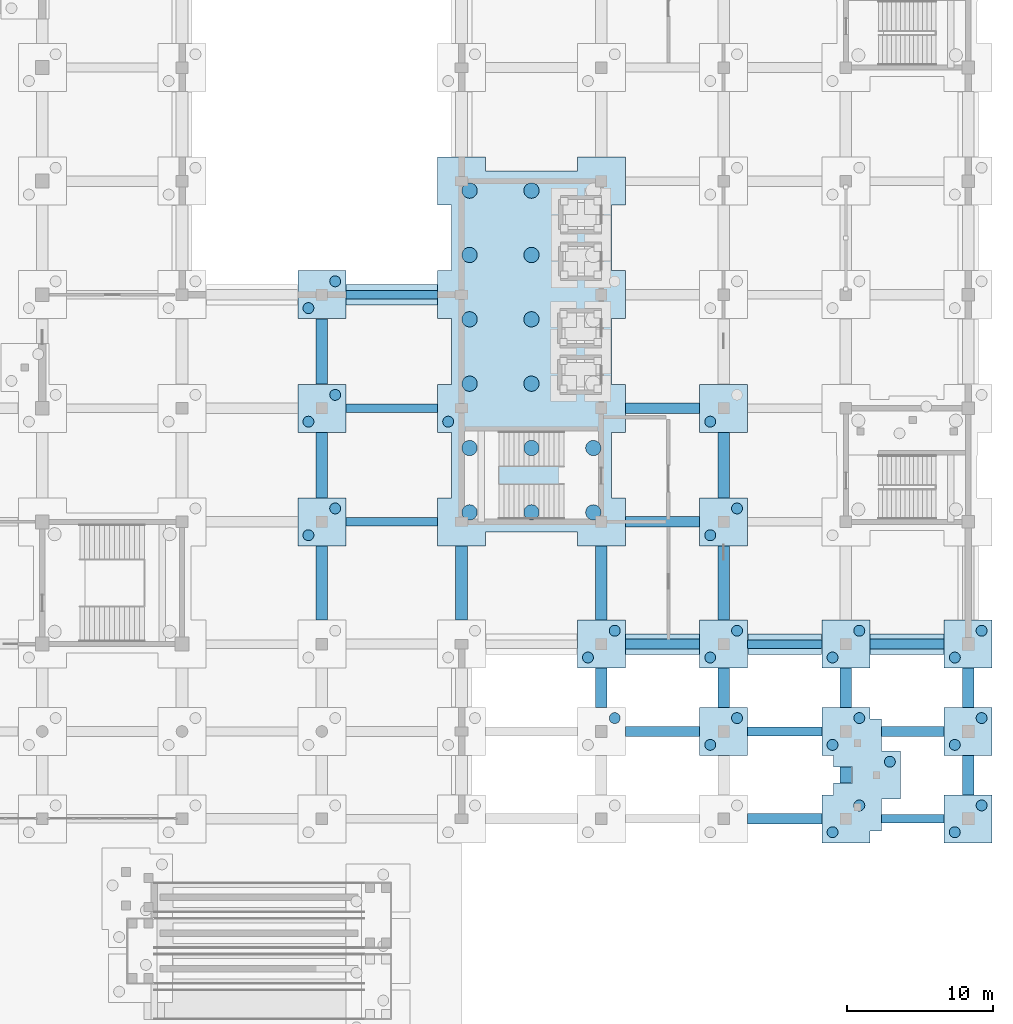
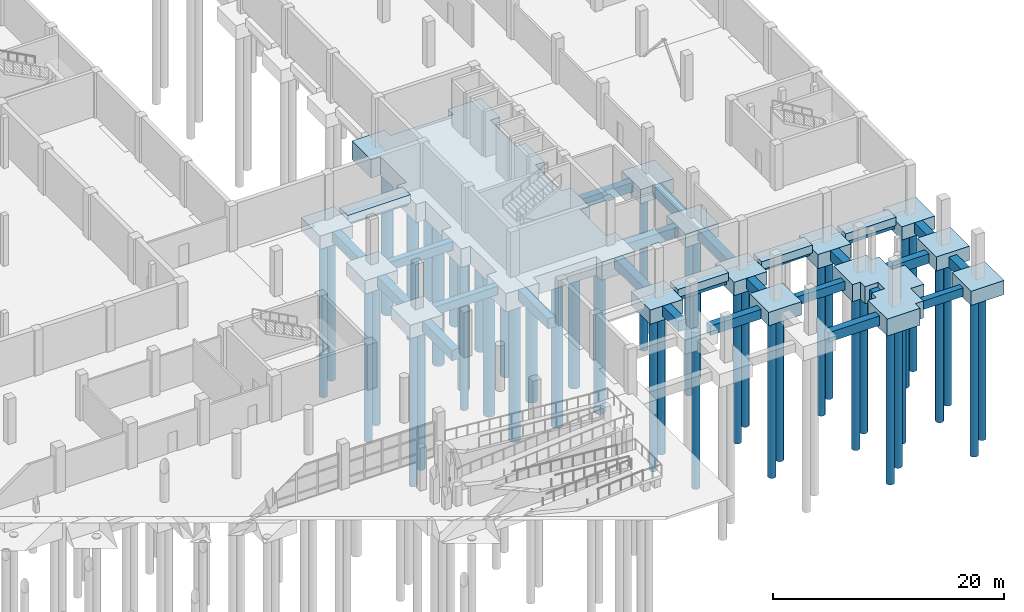
# One storey, part 12 of 42: 44 footings, 44 piles.
"""IFC4 building model written with IfcOpenShell, lengths in metres."""

from ifc_helpers import new_model, si_unit, direction, frame, origin, origin_2d, place, context, subcontext, project, spatial, polyline, rectangle, circle, outline, extrude, material, layer, layer_set, material_profile, profile_set, type_object, element, save


model = new_model("IFC4")

# Units and contexts
model_context = context("Model", 3, precision=1e-05, world=origin(), true_north=direction((0.0, 1.0)))
body_context = subcontext(model_context, "Body", "Model", "MODEL_VIEW")
ifc_project = project(units=[si_unit("LENGTHUNIT", "METRE"), si_unit("AREAUNIT", "SQUARE_METRE"), si_unit("VOLUMEUNIT", "CUBIC_METRE"), si_unit("PLANEANGLEUNIT", "RADIAN"), si_unit("MASSUNIT", "GRAM", prefix="KILO")], contexts=[model_context])

# Site, building, storey
site_placement = place(None, origin())
site = spatial("IfcSite", under=ifc_project, at=site_placement, CompositionType="ELEMENT")
building_placement = place(site_placement, origin())
building = spatial("IfcBuilding", under=site, at=building_placement, Name="Pellamere Symphony Hall", CompositionType="ELEMENT")
storey_placement = place(building_placement, frame((0.0, 0.0, -4.800048828125)))
storey = spatial("IfcBuildingStorey", under=building, at=storey_placement, Name="B1", CompositionType="ELEMENT", Elevation=-4.800048828125)

# Piles
ifc_material_1 = material(Name="Concrete 40 MPa", Category="concrete")
ifc_material_profile_1 = material_profile(ifc_material_1, circle(Radius=0.52490234375, at=origin_2d()), Name="PILE D1050")
ifc_profile_set_1 = profile_set([ifc_material_profile_1], Name="Concrete 40 MPa")
pile_type_1 = type_object("IfcPileType", Name="Bored Pile 1050mm Concrete 40 MPa", PredefinedType="BORED", material=ifc_profile_set_1)
for number, where, z_axis, x_axis, name in (
    (1, (138.550048828125, 39.050048828125, -2.300048828125), (0.0, 0.0, -1.0), (1.0, 0.0, 0.0), "Bored Pile BP-1050-P249"),
    (2, (138.550048828125, 43.469970703125, -2.300048828125), (0.0, 0.0, -1.0), (1.0, 0.0, 0.0), "Bored Pile BP-1050-P250"),
    (3, (138.550048828125, 47.889892578125, -2.300048828125), (0.0, 0.0, -1.0), (1.0, 0.0, 0.0), "Bored Pile BP-1050-P251"),
    (4, (138.550048828125, 52.31005859375, -2.300048828125), (0.0, 0.0, -1.0), (1.0, 0.0, 0.0), "Bored Pile BP-1050-P252"),
    (5, (138.550048828125, 56.72998046875, -2.300048828125), (0.0, 0.0, -1.0), (1.0, 0.0, 0.0), "Bored Pile BP-1050-P253"),
    (6, (138.550048828125, 61.14990234375, -2.300048828125), (0.0, 0.0, -1.0), (1.0, 0.0, 0.0), "Bored Pile BP-1050-P254"),
    (7, (142.800048828125, 39.050048828125, -2.300048828125), (0.0, 0.0, -1.0), (1.0, 0.0, 0.0), "Bored Pile BP-1050-P255"),
    (8, (142.800048828125, 43.469970703125, -2.300048828125), (0.0, 0.0, -1.0), (1.0, 0.0, 0.0), "Bored Pile BP-1050-P256"),
    (9, (142.800048828125, 47.889892578125, -2.300048828125), (0.0, 0.0, -1.0), (1.0, 0.0, 0.0), "Bored Pile BP-1050-P257"),
    (10, (142.800048828125, 52.31005859375, -2.300048828125), (0.0, 0.0, -1.0), (1.0, 0.0, 0.0), "Bored Pile BP-1050-P258"),
    (11, (142.800048828125, 56.72998046875, -2.300048828125), (0.0, 0.0, -1.0), (1.0, 0.0, 0.0), "Bored Pile BP-1050-P259"),
    (12, (142.800048828125, 61.14990234375, -2.300048828125), (0.0, 0.0, -1.0), (1.0, 0.0, 0.0), "Bored Pile BP-1050-P260"),
    (13, (147.050048828125, 39.050048828125, -2.300048828125), (0.0, 0.0, -1.0), (1.0, 0.0, 0.0), "Bored Pile BP-1050-P261"),
    (14, (147.050048828125, 43.469970703125, -2.300048828125), (0.0, 0.0, -1.0), (1.0, 0.0, 0.0), "Bored Pile BP-1050-P262"),
):
    element("IfcPile", number, at=place(storey_placement, frame(where, z_axis=z_axis, x_axis=x_axis)), inside=storey, type_object=pile_type_1, Name=name, PredefinedType="BORED", context=body_context, shape_type="SweptSolid", body=[
        extrude(circle(Radius=0.52490234375, at=origin_2d()), origin(), (0.0, 0.0, 1.0), 15.699951171875),
    ])
ifc_material_2 = material(Name="Concrete 35 MPa", Category="concrete")
ifc_material_profile_2 = material_profile(ifc_material_2, circle(Radius=0.375, at=origin_2d()), Name="PILE D750")
ifc_profile_set_2 = profile_set([ifc_material_profile_2], Name="Concrete 35 MPa")
pile_type_2 = type_object("IfcPileType", Name="Bored Pile 750mm Concrete 35 MPa", PredefinedType="BORED", material=ifc_profile_set_2)
for number, where, z_axis, x_axis, name in (
    (15, (163.47998046875, 17.080078125, -1.699951171875), (0.0, 0.0, -1.0), (1.0, 0.0, 0.0), "Bored Pile BP-750-P091"),
    (16, (165.320068359375, 18.919921875, -1.699951171875), (0.0, 0.0, -1.0), (1.0, 0.0, 0.0), "Bored Pile BP-750-P092"),
    (17, (163.47998046875, 23.080078125, -1.699951171875), (0.0, 0.0, -1.0), (1.0, 0.0, 0.0), "Bored Pile BP-750-P093"),
    (18, (165.320068359375, 24.919921875, -1.699951171875), (0.0, 0.0, -1.0), (1.0, 0.0, 0.0), "Bored Pile BP-750-P094"),
    (19, (167.419921875, 21.919921875, -1.699951171875), (0.0, 0.0, -1.0), (1.0, 0.0, 0.0), "Bored Pile BP-750-P095"),
):
    element("IfcPile", number, at=place(storey_placement, frame(where, z_axis=z_axis, x_axis=x_axis)), inside=storey, type_object=pile_type_2, Name=name, PredefinedType="BORED", context=body_context, shape_type="SweptSolid", body=[
        extrude(circle(Radius=0.375, at=origin_2d()), origin(), (0.0, 0.0, 1.0), 16.300048828125),
    ])
for number, where, z_axis, x_axis, name in (
    (20, (171.8798828125, 17.080078125, -1.39990234375), (0.0, 0.0, -1.0), (1.0, 0.0, 0.0), "Bored Pile BP-750-P096"),
    (21, (173.719970703125, 18.919921875, -1.39990234375), (0.0, 0.0, -1.0), (1.0, 0.0, 0.0), "Bored Pile BP-750-P097"),
    (22, (148.52001953125, 24.919921875, -1.39990234375), (0.0, 0.0, -1.0), (1.0, 0.0, 0.0), "Bored Pile BP-750-P136"),
):
    element("IfcPile", number, at=place(storey_placement, frame(where, z_axis=z_axis, x_axis=x_axis)), inside=storey, type_object=pile_type_2, Name=name, PredefinedType="BORED", context=body_context, shape_type="SweptSolid", body=[
        extrude(circle(Radius=0.375, at=origin_2d()), origin(), (0.0, 0.0, 1.0), 16.60009765625),
    ])
for number, where, z_axis, x_axis, name in (
    (23, (155.080078125, 23.080078125, -1.300048828125), (0.0, 0.0, -1.0), (1.0, 0.0, 0.0), "Bored Pile BP-750-P137"),
    (24, (156.919921875, 24.919921875, -1.300048828125), (0.0, 0.0, -1.0), (1.0, 0.0, 0.0), "Bored Pile BP-750-P138"),
):
    element("IfcPile", number, at=place(storey_placement, frame(where, z_axis=z_axis, x_axis=x_axis)), inside=storey, type_object=pile_type_2, Name=name, PredefinedType="BORED", context=body_context, shape_type="SweptSolid", body=[
        extrude(circle(Radius=0.375, at=origin_2d()), origin(), (0.0, 0.0, 1.0), 16.699951171875),
    ])
for number, where, z_axis, x_axis, name in (
    (25, (171.8798828125, 23.080078125, -1.39990234375), (0.0, 0.0, -1.0), (1.0, 0.0, 0.0), "Bored Pile BP-750-P139"),
    (26, (173.719970703125, 24.919921875, -1.39990234375), (0.0, 0.0, -1.0), (1.0, 0.0, 0.0), "Bored Pile BP-750-P140"),
):
    element("IfcPile", number, at=place(storey_placement, frame(where, z_axis=z_axis, x_axis=x_axis)), inside=storey, type_object=pile_type_2, Name=name, PredefinedType="BORED", context=body_context, shape_type="SweptSolid", body=[
        extrude(circle(Radius=0.375, at=origin_2d()), origin(), (0.0, 0.0, 1.0), 16.60009765625),
    ])
for number, where, z_axis, x_axis, name in (
    (27, (146.679931640625, 29.080078125, -1.849853515625), (0.0, 0.0, -1.0), (1.0, 0.0, 0.0), "Bored Pile BP-750-P198"),
    (28, (148.52001953125, 30.919921875, -1.849853515625), (0.0, 0.0, -1.0), (1.0, 0.0, 0.0), "Bored Pile BP-750-P199"),
):
    element("IfcPile", number, at=place(storey_placement, frame(where, z_axis=z_axis, x_axis=x_axis)), inside=storey, type_object=pile_type_2, Name=name, PredefinedType="BORED", context=body_context, shape_type="SweptSolid", body=[
        extrude(circle(Radius=0.375, at=origin_2d()), origin(), (0.0, 0.0, 1.0), 16.14990234375),
    ])
for number, where, z_axis, x_axis, name in (
    (29, (155.080078125, 29.080078125, -1.75), (0.0, 0.0, -1.0), (1.0, 0.0, 0.0), "Bored Pile BP-750-P200"),
    (30, (156.919921875, 30.919921875, -1.75), (0.0, 0.0, -1.0), (1.0, 0.0, 0.0), "Bored Pile BP-750-P201"),
):
    element("IfcPile", number, at=place(storey_placement, frame(where, z_axis=z_axis, x_axis=x_axis)), inside=storey, type_object=pile_type_2, Name=name, PredefinedType="BORED", context=body_context, shape_type="SweptSolid", body=[
        extrude(circle(Radius=0.375, at=origin_2d()), origin(), (0.0, 0.0, 1.0), 16.25),
    ])
for number, where, z_axis, x_axis, name in (
    (31, (163.47998046875, 29.080078125, -1.849853515625), (0.0, 0.0, -1.0), (1.0, 0.0, 0.0), "Bored Pile BP-750-P202"),
    (32, (165.320068359375, 30.919921875, -1.849853515625), (0.0, 0.0, -1.0), (1.0, 0.0, 0.0), "Bored Pile BP-750-P203"),
):
    element("IfcPile", number, at=place(storey_placement, frame(where, z_axis=z_axis, x_axis=x_axis)), inside=storey, type_object=pile_type_2, Name=name, PredefinedType="BORED", context=body_context, shape_type="SweptSolid", body=[
        extrude(circle(Radius=0.375, at=origin_2d()), origin(), (0.0, 0.0, 1.0), 16.14990234375),
    ])
for number, where, z_axis, x_axis, name in (
    (33, (171.8798828125, 29.080078125, -1.75), (0.0, 0.0, -1.0), (1.0, 0.0, 0.0), "Bored Pile BP-750-P204"),
    (34, (173.719970703125, 30.919921875, -1.75), (0.0, 0.0, -1.0), (1.0, 0.0, 0.0), "Bored Pile BP-750-P205"),
    (35, (127.47998046875, 37.47998046875, -1.75), (0.0, 0.0, -1.0), (1.0, 0.0, 0.0), "Bored Pile BP-750-P247"),
    (36, (129.320068359375, 39.320068359375, -1.75), (0.0, 0.0, -1.0), (1.0, 0.0, 0.0), "Bored Pile BP-750-P248"),
):
    element("IfcPile", number, at=place(storey_placement, frame(where, z_axis=z_axis, x_axis=x_axis)), inside=storey, type_object=pile_type_2, Name=name, PredefinedType="BORED", context=body_context, shape_type="SweptSolid", body=[
        extrude(circle(Radius=0.375, at=origin_2d()), origin(), (0.0, 0.0, 1.0), 16.25),
    ])
pile_1_placement = place(storey_placement, frame((137.080078125, 45.280029296875, -2.300048828125), z_axis=(0.0, 0.0, -1.0), x_axis=(1.0, 0.0, 0.0)))
element("IfcPile", 37, at=pile_1_placement, inside=storey, type_object=pile_type_2, Name="Bored Pile BP-750-P267", PredefinedType="BORED", context=body_context, shape_type="SweptSolid", body=[
    extrude(circle(Radius=0.375, at=origin_2d()), origin(), (0.0, 0.0, 1.0), 15.699951171875),
])
for number, where, z_axis, x_axis, name in (
    (38, (155.080078125, 37.47998046875, -1.75), (0.0, 0.0, -1.0), (1.0, 0.0, 0.0), "Bored Pile BP-750-P269"),
    (39, (156.919921875, 39.320068359375, -1.75), (0.0, 0.0, -1.0), (1.0, 0.0, 0.0), "Bored Pile BP-750-P270"),
    (40, (127.47998046875, 45.280029296875, -1.75), (0.0, 0.0, -1.0), (1.0, 0.0, 0.0), "Bored Pile BP-750-P313"),
    (41, (129.320068359375, 47.1201171875, -1.75), (0.0, 0.0, -1.0), (1.0, 0.0, 0.0), "Bored Pile BP-750-P314"),
):
    element("IfcPile", number, at=place(storey_placement, frame(where, z_axis=z_axis, x_axis=x_axis)), inside=storey, type_object=pile_type_2, Name=name, PredefinedType="BORED", context=body_context, shape_type="SweptSolid", body=[
        extrude(circle(Radius=0.375, at=origin_2d()), origin(), (0.0, 0.0, 1.0), 16.25),
    ])
pile_2_placement = place(storey_placement, frame((155.080078125, 45.280029296875, -1.849853515625), z_axis=(0.0, 0.0, -1.0), x_axis=(1.0, 0.0, 0.0)))
element("IfcPile", 42, at=pile_2_placement, inside=storey, type_object=pile_type_2, Name="Bored Pile BP-750-P315", PredefinedType="BORED", context=body_context, shape_type="SweptSolid", body=[
    extrude(circle(Radius=0.375, at=origin_2d()), origin(), (0.0, 0.0, 1.0), 16.14990234375),
])
for number, where, z_axis, x_axis, name in (
    (43, (127.47998046875, 53.080078125, -1.75), (0.0, 0.0, -1.0), (1.0, 0.0, 0.0), "Bored Pile BP-750-P337"),
    (44, (129.320068359375, 54.919921875, -1.75), (0.0, 0.0, -1.0), (1.0, 0.0, 0.0), "Bored Pile BP-750-P338"),
):
    element("IfcPile", number, at=place(storey_placement, frame(where, z_axis=z_axis, x_axis=x_axis)), inside=storey, type_object=pile_type_2, Name=name, PredefinedType="BORED", context=body_context, shape_type="SweptSolid", body=[
        extrude(circle(Radius=0.375, at=origin_2d()), origin(), (0.0, 0.0, 1.0), 16.25),
    ])

# Footings
ifc_material_profile_3 = material_profile(ifc_material_1, rectangle(XDim=0.60009765625, YDim=0.89990234375, at=origin_2d()), Name="RC 600x900")
ifc_profile_set_3 = profile_set([ifc_material_profile_3], Name="Concrete 40 MPa")
footing_type_1 = type_object("IfcFootingType", Name="Foundation FB-01 600x900", PredefinedType="FOOTING_BEAM", material=ifc_profile_set_3)
footing_1_placement = place(storey_placement, frame((166.85205078125, 18.0, -0.89990234375), z_axis=(1.0, 0.0, 0.0), x_axis=(0.0, 1.0, 0.0)))
element("IfcFooting", 45, at=footing_1_placement, inside=storey, type_object=footing_type_1, Name="Foundation Beam FB-01-086", PredefinedType="FOOTING_BEAM", context=body_context, shape_type="SweptSolid", body=[
    extrude(rectangle(XDim=0.60009765625, YDim=0.89990234375, at=origin_2d()), origin(), (0.0, 0.0, 1.0), 4.2958984375),
])
for number, where, z_axis, x_axis, name in (
    (46, (157.652099609375, 24.0, -0.89990234375), (1.0, 0.0, 0.0), (0.0, 1.0, 0.0), "Foundation Beam FB-01-102"),
    (47, (157.652099609375, 30.0, -0.89990234375), (1.0, 0.0, 0.0), (0.0, 1.0, 0.0), "Foundation Beam FB-01-118"),
):
    element("IfcFooting", number, at=place(storey_placement, frame(where, z_axis=z_axis, x_axis=x_axis)), inside=storey, type_object=footing_type_1, Name=name, PredefinedType="FOOTING_BEAM", context=body_context, shape_type="SweptSolid", body=[
        extrude(rectangle(XDim=0.60009765625, YDim=0.89990234375, at=origin_2d()), origin(), (0.0, 0.0, 1.0), 5.095947265625),
    ])
for number, where, z_axis, x_axis, name in (
    (48, (130.052001953125, 38.39990234375, -0.89990234375), (1.0, 0.0, 0.0), (0.0, 1.0, 0.0), "Foundation Beam FB-01-134"),
    (49, (130.052001953125, 46.199951171875, -0.89990234375), (1.0, 0.0, 0.0), (0.0, 1.0, 0.0), "Foundation Beam FB-01-152"),
    (50, (130.052001953125, 54.0, -0.89990234375), (1.0, 0.0, 0.0), (0.0, 1.0, 0.0), "Foundation Beam FB-01-164"),
):
    element("IfcFooting", number, at=place(storey_placement, frame(where, z_axis=z_axis, x_axis=x_axis)), inside=storey, type_object=footing_type_1, Name=name, PredefinedType="FOOTING_BEAM", context=body_context, shape_type="SweptSolid", body=[
        extrude(rectangle(XDim=0.60009765625, YDim=0.89990234375, at=origin_2d()), origin(), (0.0, 0.0, 1.0), 6.2958984375),
    ])
ifc_material_profile_4 = material_profile(ifc_material_1, rectangle(XDim=0.699951171875, YDim=1.0, at=origin_2d()), Name="RC 700x1000")
ifc_profile_set_4 = profile_set([ifc_material_profile_4], Name="Concrete 40 MPa")
footing_type_2 = type_object("IfcFootingType", Name="Foundation FB-02 700x1000", PredefinedType="FOOTING_BEAM", material=ifc_profile_set_4)
for number, where, z_axis, x_axis, name in (
    (51, (157.652099609375, 18.0, -0.949951171875), (1.0, 0.0, 0.0), (0.0, 1.0, 0.0), "Foundation Beam FB-02-085"),
    (52, (149.251953125, 24.0, -0.949951171875), (1.0, 0.0, 0.0), (0.0, 1.0, 0.0), "Foundation Beam FB-02-101"),
):
    element("IfcFooting", number, at=place(storey_placement, frame(where, z_axis=z_axis, x_axis=x_axis)), inside=storey, type_object=footing_type_2, Name=name, PredefinedType="FOOTING_BEAM", context=body_context, shape_type="SweptSolid", body=[
        extrude(rectangle(XDim=0.699951171875, YDim=1.0, at=origin_2d()), origin(), (0.0, 0.0, 1.0), 5.095947265625),
    ])
footing_2_placement = place(storey_placement, frame((166.85205078125, 24.0, -0.949951171875), z_axis=(1.0, 0.0, 0.0), x_axis=(0.0, 1.0, 0.0)))
element("IfcFooting", 53, at=footing_2_placement, inside=storey, type_object=footing_type_2, Name="Foundation Beam FB-02-103", PredefinedType="FOOTING_BEAM", context=body_context, shape_type="SweptSolid", body=[
    extrude(rectangle(XDim=0.699951171875, YDim=1.0, at=origin_2d()), origin(), (0.0, 0.0, 1.0), 4.2958984375),
])
for number, where, z_axis, x_axis, name in (
    (54, (149.251953125, 30.0, -0.949951171875), (1.0, 0.0, 0.0), (0.0, 1.0, 0.0), "Foundation Beam FB-02-117"),
    (55, (166.052001953125, 30.0, -0.949951171875), (1.0, 0.0, 0.0), (0.0, 1.0, 0.0), "Foundation Beam FB-02-119"),
    (56, (149.251953125, 38.39990234375, -0.949951171875), (1.0, 0.0, 0.0), (0.0, 1.0, 0.0), "Foundation Beam FB-02-135"),
    (57, (149.251953125, 46.199951171875, -0.949951171875), (1.0, 0.0, 0.0), (0.0, 1.0, 0.0), "Foundation Beam FB-02-153"),
):
    element("IfcFooting", number, at=place(storey_placement, frame(where, z_axis=z_axis, x_axis=x_axis)), inside=storey, type_object=footing_type_2, Name=name, PredefinedType="FOOTING_BEAM", context=body_context, shape_type="SweptSolid", body=[
        extrude(rectangle(XDim=0.699951171875, YDim=1.0, at=origin_2d()), origin(), (0.0, 0.0, 1.0), 5.095947265625),
    ])
ifc_material_profile_5 = material_profile(ifc_material_1, rectangle(XDim=0.800048828125, YDim=1.10009765625, at=origin_2d()), Name="RC 800x1100")
ifc_profile_set_5 = profile_set([ifc_material_profile_5], Name="Concrete 40 MPa")
footing_type_3 = type_object("IfcFootingType", Name="Foundation FB-03 800x1100", PredefinedType="FOOTING_BEAM", material=ifc_profile_set_5)
footing_3_placement = place(storey_placement, frame((128.39990234375, 31.652099609375, -1.0), z_axis=(0.0, 1.0, 0.0), x_axis=(-1.0, 0.0, 0.0)))
element("IfcFooting", 58, at=footing_3_placement, inside=storey, type_object=footing_type_3, Name="Foundation Beam FB-03-349", PredefinedType="FOOTING_BEAM", context=body_context, shape_type="SweptSolid", body=[
    extrude(rectangle(XDim=0.800048828125, YDim=1.10009765625, at=origin_2d()), origin(), (0.0, 0.0, 1.0), 5.095947265625),
])
footing_4_placement = place(storey_placement, frame((128.39990234375, 40.052001953125, -1.0), z_axis=(0.0, 1.0, 0.0), x_axis=(-1.0, 0.0, 0.0)))
element("IfcFooting", 59, at=footing_4_placement, inside=storey, type_object=footing_type_3, Name="Foundation Beam FB-03-350", PredefinedType="FOOTING_BEAM", context=body_context, shape_type="SweptSolid", body=[
    extrude(rectangle(XDim=0.800048828125, YDim=1.10009765625, at=origin_2d()), origin(), (0.0, 0.0, 1.0), 4.49609375),
])
footing_5_placement = place(storey_placement, frame((128.39990234375, 47.85205078125, -1.0), z_axis=(0.0, 1.0, 0.0), x_axis=(-1.0, 0.0, 0.0)))
element("IfcFooting", 60, at=footing_5_placement, inside=storey, type_object=footing_type_3, Name="Foundation Beam FB-03-351", PredefinedType="FOOTING_BEAM", context=body_context, shape_type="SweptSolid", body=[
    extrude(rectangle(XDim=0.800048828125, YDim=1.10009765625, at=origin_2d()), origin(), (0.0, 0.0, 1.0), 4.495849609375),
])
footing_6_placement = place(storey_placement, frame((138.0, 31.652099609375, -1.0), z_axis=(0.0, 1.0, 0.0), x_axis=(-1.0, 0.0, 0.0)))
element("IfcFooting", 61, at=footing_6_placement, inside=storey, type_object=footing_type_3, Name="Foundation Beam FB-03-354", PredefinedType="FOOTING_BEAM", context=body_context, shape_type="SweptSolid", body=[
    extrude(rectangle(XDim=0.800048828125, YDim=1.10009765625, at=origin_2d()), origin(), (0.0, 0.0, 1.0), 5.095947265625),
])
footing_7_placement = place(storey_placement, frame((147.60009765625, 25.652099609375, -1.0), z_axis=(0.0, 1.0, 0.0), x_axis=(-1.0, 0.0, 0.0)))
element("IfcFooting", 62, at=footing_7_placement, inside=storey, type_object=footing_type_3, Name="Foundation Beam FB-03-361", PredefinedType="FOOTING_BEAM", context=body_context, shape_type="SweptSolid", body=[
    extrude(rectangle(XDim=0.800048828125, YDim=1.10009765625, at=origin_2d()), origin(), (0.0, 0.0, 1.0), 2.69580078125),
])
footing_8_placement = place(storey_placement, frame((147.60009765625, 31.652099609375, -1.0), z_axis=(0.0, 1.0, 0.0), x_axis=(-1.0, 0.0, 0.0)))
element("IfcFooting", 63, at=footing_8_placement, inside=storey, type_object=footing_type_3, Name="Foundation Beam FB-03-362", PredefinedType="FOOTING_BEAM", context=body_context, shape_type="SweptSolid", body=[
    extrude(rectangle(XDim=0.800048828125, YDim=1.10009765625, at=origin_2d()), origin(), (0.0, 0.0, 1.0), 5.095947265625),
])
footing_9_placement = place(storey_placement, frame((156.0, 25.652099609375, -1.0), z_axis=(0.0, 1.0, 0.0), x_axis=(-1.0, 0.0, 0.0)))
element("IfcFooting", 64, at=footing_9_placement, inside=storey, type_object=footing_type_3, Name="Foundation Beam FB-03-369", PredefinedType="FOOTING_BEAM", context=body_context, shape_type="SweptSolid", body=[
    extrude(rectangle(XDim=0.800048828125, YDim=1.10009765625, at=origin_2d()), origin(), (0.0, 0.0, 1.0), 2.69580078125),
])
footing_10_placement = place(storey_placement, frame((156.0, 31.652099609375, -1.0), z_axis=(0.0, 1.0, 0.0), x_axis=(-1.0, 0.0, 0.0)))
element("IfcFooting", 65, at=footing_10_placement, inside=storey, type_object=footing_type_3, Name="Foundation Beam FB-03-370", PredefinedType="FOOTING_BEAM", context=body_context, shape_type="SweptSolid", body=[
    extrude(rectangle(XDim=0.800048828125, YDim=1.10009765625, at=origin_2d()), origin(), (0.0, 0.0, 1.0), 5.095947265625),
])
footing_11_placement = place(storey_placement, frame((156.0, 40.052001953125, -1.0), z_axis=(0.0, 1.0, 0.0), x_axis=(-1.0, 0.0, 0.0)))
element("IfcFooting", 66, at=footing_11_placement, inside=storey, type_object=footing_type_3, Name="Foundation Beam FB-03-371", PredefinedType="FOOTING_BEAM", context=body_context, shape_type="SweptSolid", body=[
    extrude(rectangle(XDim=0.800048828125, YDim=1.10009765625, at=origin_2d()), origin(), (0.0, 0.0, 1.0), 4.49609375),
])
footing_12_placement = place(storey_placement, frame((164.39990234375, 20.451904296875, -1.0), z_axis=(0.0, 1.0, 0.0), x_axis=(-1.0, 0.0, 0.0)))
element("IfcFooting", 67, at=footing_12_placement, inside=storey, type_object=footing_type_3, Name="Foundation Beam FB-03-379", PredefinedType="FOOTING_BEAM", context=body_context, shape_type="SweptSolid", body=[
    extrude(rectangle(XDim=0.800048828125, YDim=1.10009765625, at=origin_2d()), origin(), (0.0, 0.0, 1.0), 1.09619140625),
])
for number, where, z_axis, x_axis, name in (
    (68, (164.39990234375, 25.652099609375, -1.0), (0.0, 1.0, 0.0), (-1.0, 0.0, 0.0), "Foundation Beam FB-03-380"),
    (69, (172.800048828125, 19.652099609375, -1.0), (0.0, 1.0, 0.0), (-1.0, 0.0, 0.0), "Foundation Beam FB-03-387"),
    (70, (172.800048828125, 25.652099609375, -1.0), (0.0, 1.0, 0.0), (-1.0, 0.0, 0.0), "Foundation Beam FB-03-388"),
):
    element("IfcFooting", number, at=place(storey_placement, frame(where, z_axis=z_axis, x_axis=x_axis)), inside=storey, type_object=footing_type_3, Name=name, PredefinedType="FOOTING_BEAM", context=body_context, shape_type="SweptSolid", body=[
        extrude(rectangle(XDim=0.800048828125, YDim=1.10009765625, at=origin_2d()), origin(), (0.0, 0.0, 1.0), 2.69580078125),
    ])
ifc_material_profile_6 = material_profile(ifc_material_1, rectangle(XDim=1.39990234375, YDim=0.85009765625, at=origin_2d()), Name="RC 1400x850")
ifc_profile_set_6 = profile_set([ifc_material_profile_6], Name="Concrete 40 MPa")
footing_type_4 = type_object("IfcFootingType", Name="Foundation SF-02 1400x850", PredefinedType="STRIP_FOOTING", material=ifc_profile_set_6)
footing_13_placement = place(storey_placement, frame((130.06494140625, 54.0, -0.425048828125), z_axis=(1.0, 0.0, 0.0), x_axis=(0.0, 1.0, 0.0)))
element("IfcFooting", 71, at=footing_13_placement, inside=storey, type_object=footing_type_4, Name="Foundation Beam SF-02-025", PredefinedType="STRIP_FOOTING", context=body_context, shape_type="SweptSolid", body=[
    extrude(rectangle(XDim=1.39990234375, YDim=0.85009765625, at=origin_2d()), origin(), (0.0, 0.0, 1.0), 6.27001953125),
])
for number, where, z_axis, x_axis, name in (
    (72, (171.135009765625, 30.0, -0.425048828125), (-1.0, 0.0, 0.0), (0.0, -1.0, 0.0), "Foundation Beam SF-02-036"),
    (73, (162.735107421875, 30.0, -0.425048828125), (-1.0, 0.0, 0.0), (0.0, -1.0, 0.0), "Foundation Beam SF-02-037"),
    (74, (154.3349609375, 30.0, -0.425048828125), (-1.0, 0.0, 0.0), (0.0, -1.0, 0.0), "Foundation Beam SF-02-038"),
):
    element("IfcFooting", number, at=place(storey_placement, frame(where, z_axis=z_axis, x_axis=x_axis)), inside=storey, type_object=footing_type_4, Name=name, PredefinedType="STRIP_FOOTING", context=body_context, shape_type="SweptSolid", body=[
        extrude(rectangle(XDim=1.39990234375, YDim=0.85009765625, at=origin_2d()), origin(), (0.0, 0.0, 1.0), 5.070068359375),
    ])
ifc_layer_1 = layer(ifc_material_1, 1.39990234375, Name="Concrete 40 MPa")
ifc_layer_set_1 = layer_set([ifc_layer_1], Name="Concrete 40 MPa")
footing_type_5 = type_object("IfcFootingType", Name="Pile Cap PC-02 3300x3300x1400", PredefinedType="PILE_CAP", material=ifc_layer_set_1)
footing_14_placement = place(storey_placement, frame((0.0, 0.0, -1.39990234375)))
element("IfcFooting", 75, at=footing_14_placement, inside=storey, type_object=footing_type_5, Name="Pile Cap PC-02-062", PredefinedType="PILE_CAP", context=body_context, shape_type="SweptSolid", body=[
    extrude(outline(polyline([(157.64990234375, 22.35009765625), (154.35009765625, 22.35009765625), (154.35009765625, 25.64990234375), (157.64990234375, 25.64990234375), (157.64990234375, 22.35009765625)])), origin(), (0.0, 0.0, 1.0), 1.39990234375),
])
footing_15_placement = place(storey_placement, frame((0.0, 0.0, -1.849853515625)))
element("IfcFooting", 76, at=footing_15_placement, inside=storey, type_object=footing_type_5, Name="Pile Cap PC-02-080", PredefinedType="PILE_CAP", context=body_context, shape_type="SweptSolid", body=[
    extrude(outline(polyline([(157.64990234375, 28.35009765625), (154.35009765625, 28.35009765625), (154.35009765625, 31.64990234375), (157.64990234375, 31.64990234375), (157.64990234375, 28.35009765625)])), origin(), (0.0, 0.0, 1.0), 1.39990234375),
])
footing_16_placement = place(storey_placement, frame((0.0, 0.0, -1.849853515625)))
element("IfcFooting", 77, at=footing_16_placement, inside=storey, type_object=footing_type_5, Name="Pile Cap PC-02-082", PredefinedType="PILE_CAP", context=body_context, shape_type="SweptSolid", body=[
    extrude(outline(polyline([(171.14990234375, 28.35009765625), (171.14990234375, 31.64990234375), (174.449951171875, 31.64990234375), (174.449951171875, 28.35009765625), (171.14990234375, 28.35009765625)])), origin(), (0.0, 0.0, 1.0), 1.39990234375),
])
footing_17_placement = place(storey_placement, frame((0.0, 0.0, -1.849853515625)))
element("IfcFooting", 78, at=footing_17_placement, inside=storey, type_object=footing_type_5, Name="Pile Cap PC-02-098", PredefinedType="PILE_CAP", context=body_context, shape_type="SweptSolid", body=[
    extrude(outline(polyline([(130.050048828125, 36.75), (126.75, 36.75), (126.75, 40.050048828125), (130.050048828125, 40.050048828125), (130.050048828125, 36.75)])), origin(), (0.0, 0.0, 1.0), 1.39990234375),
])
footing_18_placement = place(storey_placement, frame((0.0, 0.0, -1.849853515625)))
element("IfcFooting", 79, at=footing_18_placement, inside=storey, type_object=footing_type_5, Name="Pile Cap PC-02-100", PredefinedType="PILE_CAP", context=body_context, shape_type="SweptSolid", body=[
    extrude(outline(polyline([(157.64990234375, 36.75), (154.35009765625, 36.75), (154.35009765625, 40.050048828125), (157.64990234375, 40.050048828125), (157.64990234375, 36.75)])), origin(), (0.0, 0.0, 1.0), 1.39990234375),
])
footing_19_placement = place(storey_placement, frame((0.0, 0.0, -1.849853515625)))
element("IfcFooting", 80, at=footing_19_placement, inside=storey, type_object=footing_type_5, Name="Pile Cap PC-02-114", PredefinedType="PILE_CAP", context=body_context, shape_type="SweptSolid", body=[
    extrude(outline(polyline([(130.050048828125, 44.550048828125), (126.75, 44.550048828125), (126.75, 47.85009765625), (130.050048828125, 47.85009765625), (130.050048828125, 44.550048828125)])), origin(), (0.0, 0.0, 1.0), 1.39990234375),
])
footing_20_placement = place(storey_placement, frame((0.0, 0.0, -1.849853515625)))
element("IfcFooting", 81, at=footing_20_placement, inside=storey, type_object=footing_type_5, Name="Pile Cap PC-02-126", PredefinedType="PILE_CAP", context=body_context, shape_type="SweptSolid", body=[
    extrude(outline(polyline([(130.050048828125, 52.35009765625), (126.75, 52.35009765625), (126.75, 55.64990234375), (130.050048828125, 55.64990234375), (130.050048828125, 52.35009765625)])), origin(), (0.0, 0.0, 1.0), 1.39990234375),
])
ifc_layer_2 = layer(ifc_material_1, 1.5, Name="Concrete 40 MPa")
ifc_layer_set_2 = layer_set([ifc_layer_2], Name="Concrete 40 MPa")
footing_type_6 = type_object("IfcFootingType", Name="Pile Cap PC-03 3300x3300x1500", PredefinedType="PILE_CAP", material=ifc_layer_set_2)
footing_21_placement = place(storey_placement, frame((0.0, 0.0, -1.5)))
element("IfcFooting", 82, at=footing_21_placement, inside=storey, type_object=footing_type_6, Name="Pile Cap PC-03-043", PredefinedType="PILE_CAP", context=body_context, shape_type="SweptSolid", body=[
    extrude(outline(polyline([(171.14990234375, 16.35009765625), (171.14990234375, 19.64990234375), (174.449951171875, 19.64990234375), (174.449951171875, 16.35009765625), (171.14990234375, 16.35009765625)])), origin(), (0.0, 0.0, 1.0), 1.5),
])
footing_22_placement = place(storey_placement, frame((0.0, 0.0, -1.5)))
element("IfcFooting", 83, at=footing_22_placement, inside=storey, type_object=footing_type_6, Name="Pile Cap PC-03-063", PredefinedType="PILE_CAP", context=body_context, shape_type="SweptSolid", body=[
    extrude(outline(polyline([(171.14990234375, 22.35009765625), (171.14990234375, 25.64990234375), (174.449951171875, 25.64990234375), (174.449951171875, 22.35009765625), (171.14990234375, 22.35009765625)])), origin(), (0.0, 0.0, 1.0), 1.5),
])
footing_23_placement = place(storey_placement, frame((0.0, 0.0, -1.949951171875)))
element("IfcFooting", 84, at=footing_23_placement, inside=storey, type_object=footing_type_6, Name="Pile Cap PC-03-079", PredefinedType="PILE_CAP", context=body_context, shape_type="SweptSolid", body=[
    extrude(outline(polyline([(145.949951171875, 28.35009765625), (145.949951171875, 31.64990234375), (149.25, 31.64990234375), (149.25, 28.35009765625), (145.949951171875, 28.35009765625)])), origin(), (0.0, 0.0, 1.0), 1.5),
])
footing_24_placement = place(storey_placement, frame((0.0, 0.0, -1.949951171875)))
element("IfcFooting", 85, at=footing_24_placement, inside=storey, type_object=footing_type_6, Name="Pile Cap PC-03-081", PredefinedType="PILE_CAP", context=body_context, shape_type="SweptSolid", body=[
    extrude(outline(polyline([(162.75, 28.35009765625), (162.75, 31.64990234375), (166.050048828125, 31.64990234375), (166.050048828125, 28.35009765625), (162.75, 28.35009765625)])), origin(), (0.0, 0.0, 1.0), 1.5),
])
footing_25_placement = place(storey_placement, frame((0.0, 0.0, -1.949951171875)))
element("IfcFooting", 86, at=footing_25_placement, inside=storey, type_object=footing_type_6, Name="Pile Cap PC-03-115", PredefinedType="PILE_CAP", context=body_context, shape_type="SweptSolid", body=[
    extrude(outline(polyline([(157.64990234375, 44.550048828125), (154.35009765625, 44.550048828125), (154.35009765625, 47.85009765625), (157.64990234375, 47.85009765625), (157.64990234375, 44.550048828125)])), origin(), (0.0, 0.0, 1.0), 1.5),
])
ifc_layer_3 = layer(ifc_material_1, 1.800048828125, Name="Concrete 40 MPa")
ifc_layer_set_3 = layer_set([ifc_layer_3], Name="Concrete 40 MPa")
footing_type_7 = type_object("IfcFootingType", Name="Pile Cap PC-07 4850x6850x1800", PredefinedType="PILE_CAP", material=ifc_layer_set_3)
footing_26_placement = place(storey_placement, frame((0.0, 0.0, -1.800048828125)))
element("IfcFooting", 87, at=footing_26_placement, inside=storey, type_object=footing_type_7, Name="Pile Cap PC-07-042", PredefinedType="PILE_CAP", context=body_context, shape_type="SweptSolid", body=[
    extrude(outline(polyline([(166.050048828125, 16.35009765625), (162.75, 16.35009765625), (162.75, 19.64990234375), (163.550048828125, 19.64990234375), (163.550048828125, 20.449951171875), (164.85009765625, 20.449951171875), (164.85009765625, 21.550048828125), (163.550048828125, 21.550048828125), (163.550048828125, 22.35009765625), (162.75, 22.35009765625), (162.75, 25.64990234375), (166.050048828125, 25.64990234375), (166.050048828125, 24.85009765625), (166.85009765625, 24.85009765625), (166.85009765625, 22.64990234375), (168.14990234375, 22.64990234375), (168.14990234375, 19.35009765625), (166.85009765625, 19.35009765625), (166.85009765625, 17.14990234375), (166.050048828125, 17.14990234375), (166.050048828125, 16.35009765625)])), origin(), (0.0, 0.0, 1.0), 1.800048828125),
])
ifc_material_3 = material(Name="Concrete 50 MPa", Category="concrete")
ifc_layer_4 = layer(ifc_material_3, 1.949951171875, Name="Concrete 50 MPa")
ifc_layer_set_4 = layer_set([ifc_layer_4], Name="Concrete 50 MPa")
footing_type_8 = type_object("IfcFootingType", Name="Pile Cap PC-12 21300x24500x1950", PredefinedType="PILE_CAP", material=ifc_layer_set_4)
footing_27_placement = place(storey_placement, frame((0.0, 0.0, -2.39990234375)))
element("IfcFooting", 88, at=footing_27_placement, inside=storey, type_object=footing_type_8, Name="Pile Cap PC-12-099", PredefinedType="PILE_CAP", context=body_context, shape_type="SweptSolid", body=[
    extrude(outline(polyline([(136.35009765625, 36.75), (136.35009765625, 40.050048828125), (137.300048828125, 40.050048828125), (137.300048828125, 44.550048828125), (136.35009765625, 44.550048828125), (136.35009765625, 47.85009765625), (137.300048828125, 47.85009765625), (137.300048828125, 52.35009765625), (136.35009765625, 52.35009765625), (136.35009765625, 55.64990234375), (137.300048828125, 55.64990234375), (137.300048828125, 60.14990234375), (136.35009765625, 60.14990234375), (136.35009765625, 63.449951171875), (139.64990234375, 63.449951171875), (139.64990234375, 62.5), (145.949951171875, 62.5), (145.949951171875, 63.449951171875), (149.25, 63.449951171875), (149.25, 60.14990234375), (148.300048828125, 60.14990234375), (148.300048828125, 55.64990234375), (149.25, 55.64990234375), (149.25, 52.35009765625), (148.300048828125, 52.35009765625), (148.300048828125, 47.85009765625), (149.25, 47.85009765625), (149.25, 44.550048828125), (148.300048828125, 44.550048828125), (148.300048828125, 40.050048828125), (149.25, 40.050048828125), (149.25, 36.75), (145.949951171875, 36.75), (145.949951171875, 37.699951171875), (139.64990234375, 37.699951171875), (139.64990234375, 36.75), (136.35009765625, 36.75)])), origin(), (0.0, 0.0, 1.0), 1.949951171875),
])

save(model, "model.ifc")
